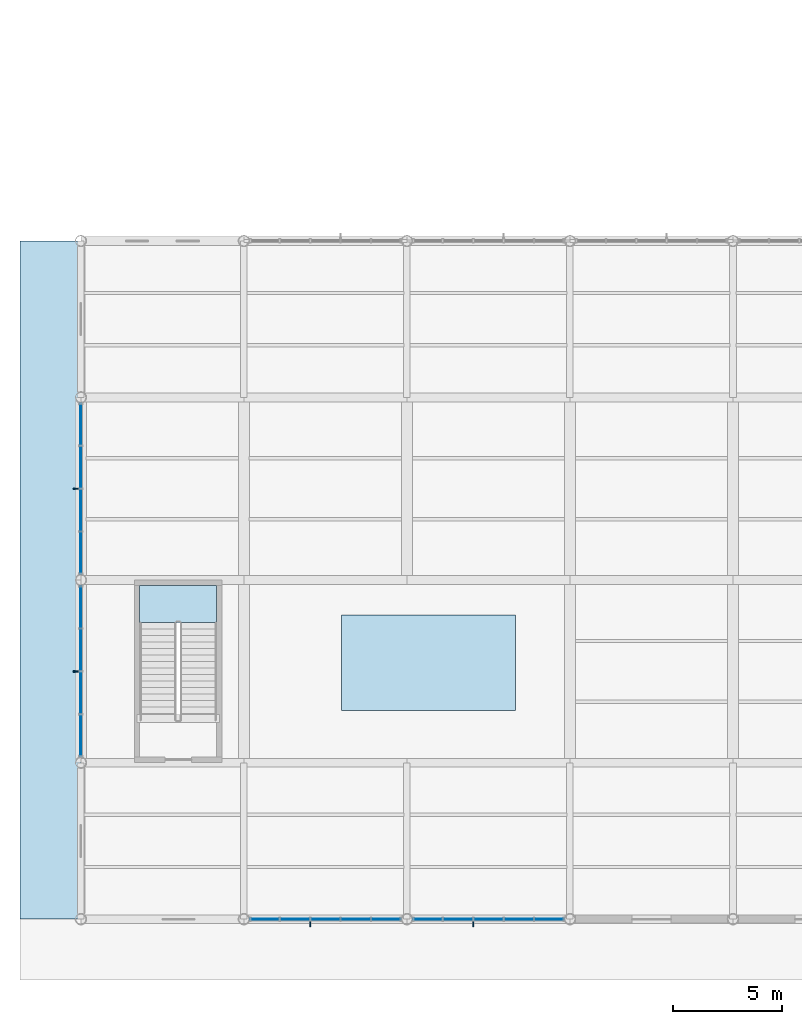
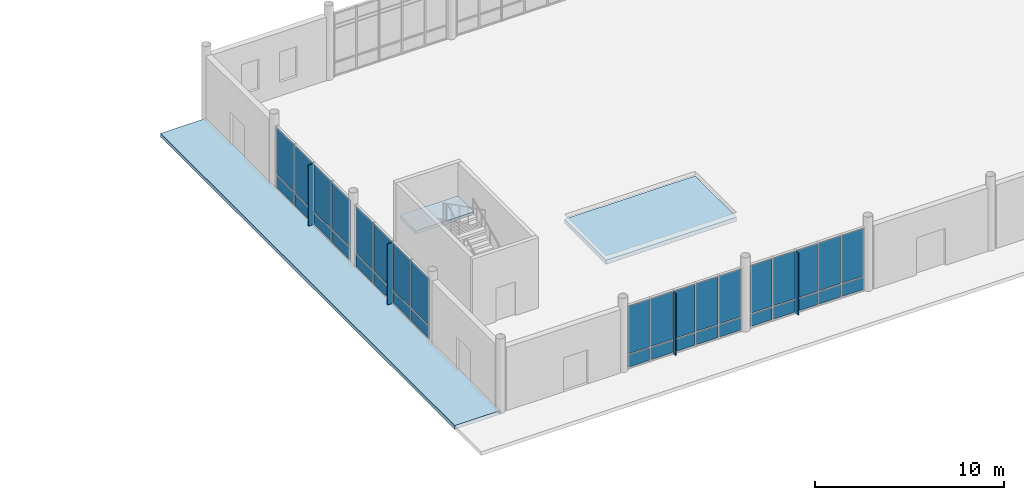
# One storey, part 35 of 82: 40 plates, 3 slabs, 5 elements without a shape of their own.
"""IFC4 building model written with IfcOpenShell, lengths in metres."""

from ifc_helpers import new_model, si_unit, direction, frame, origin, origin_2d, place, context, subcontext, project, spatial, polyline, rectangle, outline, extrude, material, layer, layer_set, type_object, element, aggregate, save


model = new_model("IFC4")

# Units and contexts
model_context = context("Model", 3, precision=1e-05, world=origin(), true_north=direction((0.0, 1.0)))
body_context = subcontext(model_context, "Body", "Model", "MODEL_VIEW")
ifc_project = project(units=[si_unit("LENGTHUNIT", "METRE"), si_unit("AREAUNIT", "SQUARE_METRE"), si_unit("VOLUMEUNIT", "CUBIC_METRE"), si_unit("PLANEANGLEUNIT", "RADIAN"), si_unit("MASSUNIT", "GRAM", prefix="KILO")], contexts=[model_context])

# Site, building, storey
site_placement = place(None, origin())
site = spatial("IfcSite", under=ifc_project, at=site_placement, CompositionType="ELEMENT")
building_placement = place(site_placement, origin())
building = spatial("IfcBuilding", under=site, at=building_placement, Name="Yukiwa Park Conservatory and Herbarium", CompositionType="ELEMENT")
storey_placement = place(building_placement, origin())
storey = spatial("IfcBuildingStorey", under=building, at=storey_placement, Name="L00", CompositionType="ELEMENT", Elevation=0.0)

# Curtain wall, plates
ifc_material_1 = material(Name="Triple Low-E Insulated Glass", Category="glass")
ifc_layer_1 = layer(ifc_material_1, 0.152099609375)
ifc_layer_set_1 = layer_set([ifc_layer_1], Name="Triple Low-E Insulated Glass")
curtain_wall_type_1 = type_object("IfcCurtainWallType", Name="CW-CONSERVATORY-1500", PredefinedType="NOTDEFINED", material=ifc_layer_set_1)
curtain_wall_1_placement = place(storey_placement, origin())
curtain_wall_1 = element("IfcCurtainWall", 1, at=curtain_wall_1_placement, inside=storey, type_object=curtain_wall_type_1, Name="L00 unitised curtain wall CW-L00-001", PredefinedType="NOTDEFINED")
ifc_material_2 = material(Name="Triple Low-E Insulated Glass", Category="glass")
ifc_layer_2 = layer(ifc_material_2, 0.035888671875)
ifc_layer_set_2 = layer_set([ifc_layer_2], Name="Triple Low-E Insulated Glass")
plate_type_1 = type_object("IfcPlateType", Name="PL-CW-GLZ-36", PredefinedType="CURTAIN_PANEL", material=ifc_layer_set_2)
plate_1_placement = place(storey_placement, frame((8.453125, 0.0, 0.93994140625), z_axis=(0.0, 0.0, 1.0), x_axis=(1.0, 0.0, 0.0)))
plate_1 = element("IfcPlate", 2, at=plate_1_placement, type_object=plate_type_1, Name="CW-L00-001 vision panel 1.2", PredefinedType="CURTAIN_PANEL", context=body_context, shape_type="SweptSolid", body=[
    extrude(rectangle(XDim=1.318359375, YDim=0.035888671875, at=origin_2d()), origin(), (0.0, 0.0, 1.0), 3.090087890625),
])
plate_2_placement = place(storey_placement, frame((9.8515625, 0.0, 0.93994140625), z_axis=(0.0, 0.0, 1.0), x_axis=(1.0, 0.0, 0.0)))
plate_2 = element("IfcPlate", 3, at=plate_2_placement, type_object=plate_type_1, Name="CW-L00-001 vision panel 2.2", PredefinedType="CURTAIN_PANEL", context=body_context, shape_type="SweptSolid", body=[
    extrude(rectangle(XDim=1.318359375, YDim=0.035888671875, at=origin_2d()), origin(), (0.0, 0.0, 1.0), 3.090087890625),
])
plate_3_placement = place(storey_placement, frame((11.25, 0.0, 0.93994140625), z_axis=(0.0, 0.0, 1.0), x_axis=(1.0, 0.0, 0.0)))
plate_3 = element("IfcPlate", 4, at=plate_3_placement, type_object=plate_type_1, Name="CW-L00-001 vision panel 3.2", PredefinedType="CURTAIN_PANEL", context=body_context, shape_type="SweptSolid", body=[
    extrude(rectangle(XDim=1.318359375, YDim=0.035888671875, at=origin_2d()), origin(), (0.0, 0.0, 1.0), 3.090087890625),
])
plate_4_placement = place(storey_placement, frame((12.6484375, 0.0, 0.93994140625), z_axis=(0.0, 0.0, 1.0), x_axis=(1.0, 0.0, 0.0)))
plate_4 = element("IfcPlate", 5, at=plate_4_placement, type_object=plate_type_1, Name="CW-L00-001 vision panel 4.2", PredefinedType="CURTAIN_PANEL", context=body_context, shape_type="SweptSolid", body=[
    extrude(rectangle(XDim=1.318359375, YDim=0.035888671875, at=origin_2d()), origin(), (0.0, 0.0, 1.0), 3.090087890625),
])
plate_5_placement = place(storey_placement, frame((14.046875, 0.0, 0.93994140625), z_axis=(0.0, 0.0, 1.0), x_axis=(1.0, 0.0, 0.0)))
plate_5 = element("IfcPlate", 6, at=plate_5_placement, type_object=plate_type_1, Name="CW-L00-001 vision panel 5.2", PredefinedType="CURTAIN_PANEL", context=body_context, shape_type="SweptSolid", body=[
    extrude(rectangle(XDim=1.318359375, YDim=0.035888671875, at=origin_2d()), origin(), (0.0, 0.0, 1.0), 3.090087890625),
])

curtain_wall_2_placement = place(storey_placement, origin())
curtain_wall_2 = element("IfcCurtainWall", 7, at=curtain_wall_2_placement, inside=storey, type_object=curtain_wall_type_1, Name="L00 unitised curtain wall CW-L00-002", PredefinedType="NOTDEFINED")
plate_6_placement = place(storey_placement, frame((15.953125, 0.0, 0.93994140625), z_axis=(0.0, 0.0, 1.0), x_axis=(1.0, 0.0, 0.0)))
plate_6 = element("IfcPlate", 8, at=plate_6_placement, type_object=plate_type_1, Name="CW-L00-002 vision panel 1.2", PredefinedType="CURTAIN_PANEL", context=body_context, shape_type="SweptSolid", body=[
    extrude(rectangle(XDim=1.318359375, YDim=0.035888671875, at=origin_2d()), origin(), (0.0, 0.0, 1.0), 3.090087890625),
])
plate_7_placement = place(storey_placement, frame((17.3515625, 0.0, 0.93994140625), z_axis=(0.0, 0.0, 1.0), x_axis=(1.0, 0.0, 0.0)))
plate_7 = element("IfcPlate", 9, at=plate_7_placement, type_object=plate_type_1, Name="CW-L00-002 vision panel 2.2", PredefinedType="CURTAIN_PANEL", context=body_context, shape_type="SweptSolid", body=[
    extrude(rectangle(XDim=1.318359375, YDim=0.035888671875, at=origin_2d()), origin(), (0.0, 0.0, 1.0), 3.090087890625),
])
plate_8_placement = place(storey_placement, frame((18.75, 0.0, 0.93994140625), z_axis=(0.0, 0.0, 1.0), x_axis=(1.0, 0.0, 0.0)))
plate_8 = element("IfcPlate", 10, at=plate_8_placement, type_object=plate_type_1, Name="CW-L00-002 vision panel 3.2", PredefinedType="CURTAIN_PANEL", context=body_context, shape_type="SweptSolid", body=[
    extrude(rectangle(XDim=1.318359375, YDim=0.035888671875, at=origin_2d()), origin(), (0.0, 0.0, 1.0), 3.090087890625),
])
plate_9_placement = place(storey_placement, frame((20.1484375, 0.0, 0.93994140625), z_axis=(0.0, 0.0, 1.0), x_axis=(1.0, 0.0, 0.0)))
plate_9 = element("IfcPlate", 11, at=plate_9_placement, type_object=plate_type_1, Name="CW-L00-002 vision panel 4.2", PredefinedType="CURTAIN_PANEL", context=body_context, shape_type="SweptSolid", body=[
    extrude(rectangle(XDim=1.318359375, YDim=0.035888671875, at=origin_2d()), origin(), (0.0, 0.0, 1.0), 3.090087890625),
])
plate_10_placement = place(storey_placement, frame((21.546875, 0.0, 0.93994140625), z_axis=(0.0, 0.0, 1.0), x_axis=(1.0, 0.0, 0.0)))
plate_10 = element("IfcPlate", 12, at=plate_10_placement, type_object=plate_type_1, Name="CW-L00-002 vision panel 5.2", PredefinedType="CURTAIN_PANEL", context=body_context, shape_type="SweptSolid", body=[
    extrude(rectangle(XDim=1.318359375, YDim=0.035888671875, at=origin_2d()), origin(), (0.0, 0.0, 1.0), 3.090087890625),
])

ifc_material_3 = material(Name="Triple Low-E Insulated Glass", Category="glass")
ifc_layer_3 = layer(ifc_material_3, 0.1640625)
ifc_layer_set_3 = layer_set([ifc_layer_3], Name="Triple Low-E Insulated Glass")
curtain_wall_type_2 = type_object("IfcCurtainWallType", Name="CW-CONSERVATORY-1875", PredefinedType="NOTDEFINED", material=ifc_layer_set_3)
curtain_wall_3_placement = place(storey_placement, origin())
curtain_wall_3 = element("IfcCurtainWall", 13, at=curtain_wall_3_placement, inside=storey, type_object=curtain_wall_type_2, Name="L00 unitised curtain wall CW-L00-024", PredefinedType="NOTDEFINED")
plate_11_placement = place(storey_placement, frame((0.0, 22.759521484375, 0.93994140625), z_axis=(0.0, 0.0, 1.0), x_axis=(0.0, -1.0, 0.0)))
plate_11 = element("IfcPlate", 14, at=plate_11_placement, type_object=plate_type_1, Name="CW-L00-024 vision panel 1.2", PredefinedType="CURTAIN_PANEL", context=body_context, shape_type="SweptSolid", body=[
    extrude(rectangle(XDim=1.89306640625, YDim=0.035888671875, at=origin_2d()), origin(), (0.0, 0.0, 1.0), 3.0400390625),
])
plate_12_placement = place(storey_placement, frame((0.0, 20.78662109375, 0.93994140625), z_axis=(0.0, 0.0, 1.0), x_axis=(0.0, -1.0, 0.0)))
plate_12 = element("IfcPlate", 15, at=plate_12_placement, type_object=plate_type_1, Name="CW-L00-024 vision panel 2.2", PredefinedType="CURTAIN_PANEL", context=body_context, shape_type="SweptSolid", body=[
    extrude(rectangle(XDim=1.89306640625, YDim=0.035888671875, at=origin_2d()), origin(), (0.0, 0.0, 1.0), 3.0400390625),
])
plate_13_placement = place(storey_placement, frame((0.0, 18.8134765625, 0.93994140625), z_axis=(0.0, 0.0, 1.0), x_axis=(0.0, -1.0, 0.0)))
plate_13 = element("IfcPlate", 16, at=plate_13_placement, type_object=plate_type_1, Name="CW-L00-024 vision panel 3.2", PredefinedType="CURTAIN_PANEL", context=body_context, shape_type="SweptSolid", body=[
    extrude(rectangle(XDim=1.89306640625, YDim=0.035888671875, at=origin_2d()), origin(), (0.0, 0.0, 1.0), 3.0400390625),
])
plate_14_placement = place(storey_placement, frame((0.0, 16.840576171875, 0.93994140625), z_axis=(0.0, 0.0, 1.0), x_axis=(0.0, -1.0, 0.0)))
plate_14 = element("IfcPlate", 17, at=plate_14_placement, type_object=plate_type_1, Name="CW-L00-024 vision panel 4.2", PredefinedType="CURTAIN_PANEL", context=body_context, shape_type="SweptSolid", body=[
    extrude(rectangle(XDim=1.89306640625, YDim=0.035888671875, at=origin_2d()), origin(), (0.0, 0.0, 1.0), 3.0400390625),
])

curtain_wall_4_placement = place(storey_placement, origin())
curtain_wall_4 = element("IfcCurtainWall", 18, at=curtain_wall_4_placement, inside=storey, type_object=curtain_wall_type_2, Name="L00 unitised curtain wall CW-L00-025", PredefinedType="NOTDEFINED")
plate_15_placement = place(storey_placement, frame((0.0, 14.359619140625, 0.93994140625), z_axis=(0.0, 0.0, 1.0), x_axis=(0.0, -1.0, 0.0)))
plate_15 = element("IfcPlate", 19, at=plate_15_placement, type_object=plate_type_1, Name="CW-L00-025 vision panel 1.2", PredefinedType="CURTAIN_PANEL", context=body_context, shape_type="SweptSolid", body=[
    extrude(rectangle(XDim=1.89306640625, YDim=0.035888671875, at=origin_2d()), origin(), (0.0, 0.0, 1.0), 3.0400390625),
])
plate_16_placement = place(storey_placement, frame((0.0, 12.386474609375, 0.93994140625), z_axis=(0.0, 0.0, 1.0), x_axis=(0.0, -1.0, 0.0)))
plate_16 = element("IfcPlate", 20, at=plate_16_placement, type_object=plate_type_1, Name="CW-L00-025 vision panel 2.2", PredefinedType="CURTAIN_PANEL", context=body_context, shape_type="SweptSolid", body=[
    extrude(rectangle(XDim=1.89306640625, YDim=0.035888671875, at=origin_2d()), origin(), (0.0, 0.0, 1.0), 3.0400390625),
])
plate_17_placement = place(storey_placement, frame((0.0, 10.41357421875, 0.93994140625), z_axis=(0.0, 0.0, 1.0), x_axis=(0.0, -1.0, 0.0)))
plate_17 = element("IfcPlate", 21, at=plate_17_placement, type_object=plate_type_1, Name="CW-L00-025 vision panel 3.2", PredefinedType="CURTAIN_PANEL", context=body_context, shape_type="SweptSolid", body=[
    extrude(rectangle(XDim=1.89306640625, YDim=0.035888671875, at=origin_2d()), origin(), (0.0, 0.0, 1.0), 3.0400390625),
])
plate_18_placement = place(storey_placement, frame((0.0, 8.4404296875, 0.93994140625), z_axis=(0.0, 0.0, 1.0), x_axis=(0.0, -1.0, 0.0)))
plate_18 = element("IfcPlate", 22, at=plate_18_placement, type_object=plate_type_1, Name="CW-L00-025 vision panel 4.2", PredefinedType="CURTAIN_PANEL", context=body_context, shape_type="SweptSolid", body=[
    extrude(rectangle(XDim=1.89306640625, YDim=0.035888671875, at=origin_2d()), origin(), (0.0, 0.0, 1.0), 3.0400390625),
])

# Plate
ifc_material_4 = material(Name="Anodised Aluminium", Category="aluminium")
ifc_layer_4 = layer(ifc_material_4, 0.044921875)
ifc_layer_set_4 = layer_set([ifc_layer_4], Name="Anodised Aluminium")
plate_type_2 = type_object("IfcPlateType", Name="PL-CW-SPN-45", PredefinedType="CURTAIN_PANEL", material=ifc_layer_set_4)
plate_19_placement = place(storey_placement, frame((8.453125, 0.0, 0.080078125), z_axis=(0.0, 0.0, 1.0), x_axis=(1.0, 0.0, 0.0)))
plate_19 = element("IfcPlate", 23, at=plate_19_placement, type_object=plate_type_2, Name="CW-L00-001 spandrel panel 1.1", PredefinedType="CURTAIN_PANEL", context=body_context, shape_type="SweptSolid", body=[
    extrude(rectangle(XDim=1.318359375, YDim=0.044921875, at=origin_2d()), origin(), (0.0, 0.0, 1.0), 0.780029296875),
])

plate_20_placement = place(storey_placement, frame((9.8515625, 0.0, 0.080078125), z_axis=(0.0, 0.0, 1.0), x_axis=(1.0, 0.0, 0.0)))
plate_20 = element("IfcPlate", 24, at=plate_20_placement, type_object=plate_type_2, Name="CW-L00-001 spandrel panel 2.1", PredefinedType="CURTAIN_PANEL", context=body_context, shape_type="SweptSolid", body=[
    extrude(rectangle(XDim=1.318359375, YDim=0.044921875, at=origin_2d()), origin(), (0.0, 0.0, 1.0), 0.780029296875),
])

plate_21_placement = place(storey_placement, frame((11.25, 0.0, 0.080078125), z_axis=(0.0, 0.0, 1.0), x_axis=(1.0, 0.0, 0.0)))
plate_21 = element("IfcPlate", 25, at=plate_21_placement, type_object=plate_type_2, Name="CW-L00-001 spandrel panel 3.1", PredefinedType="CURTAIN_PANEL", context=body_context, shape_type="SweptSolid", body=[
    extrude(rectangle(XDim=1.318359375, YDim=0.044921875, at=origin_2d()), origin(), (0.0, 0.0, 1.0), 0.780029296875),
])

plate_22_placement = place(storey_placement, frame((12.6484375, 0.0, 0.080078125), z_axis=(0.0, 0.0, 1.0), x_axis=(1.0, 0.0, 0.0)))
plate_22 = element("IfcPlate", 26, at=plate_22_placement, type_object=plate_type_2, Name="CW-L00-001 spandrel panel 4.1", PredefinedType="CURTAIN_PANEL", context=body_context, shape_type="SweptSolid", body=[
    extrude(rectangle(XDim=1.318359375, YDim=0.044921875, at=origin_2d()), origin(), (0.0, 0.0, 1.0), 0.780029296875),
])

plate_23_placement = place(storey_placement, frame((14.046875, 0.0, 0.080078125), z_axis=(0.0, 0.0, 1.0), x_axis=(1.0, 0.0, 0.0)))
plate_23 = element("IfcPlate", 27, at=plate_23_placement, type_object=plate_type_2, Name="CW-L00-001 spandrel panel 5.1", PredefinedType="CURTAIN_PANEL", context=body_context, shape_type="SweptSolid", body=[
    extrude(rectangle(XDim=1.318359375, YDim=0.044921875, at=origin_2d()), origin(), (0.0, 0.0, 1.0), 0.780029296875),
])

aggregate(curtain_wall_1, [plate_19, plate_1, plate_20, plate_2, plate_21, plate_3, plate_22, plate_4, plate_23, plate_5])

plate_24_placement = place(storey_placement, frame((15.953125, 0.0, 0.080078125), z_axis=(0.0, 0.0, 1.0), x_axis=(1.0, 0.0, 0.0)))
plate_24 = element("IfcPlate", 28, at=plate_24_placement, type_object=plate_type_2, Name="CW-L00-002 spandrel panel 1.1", PredefinedType="CURTAIN_PANEL", context=body_context, shape_type="SweptSolid", body=[
    extrude(rectangle(XDim=1.318359375, YDim=0.044921875, at=origin_2d()), origin(), (0.0, 0.0, 1.0), 0.780029296875),
])

plate_25_placement = place(storey_placement, frame((17.3515625, 0.0, 0.080078125), z_axis=(0.0, 0.0, 1.0), x_axis=(1.0, 0.0, 0.0)))
plate_25 = element("IfcPlate", 29, at=plate_25_placement, type_object=plate_type_2, Name="CW-L00-002 spandrel panel 2.1", PredefinedType="CURTAIN_PANEL", context=body_context, shape_type="SweptSolid", body=[
    extrude(rectangle(XDim=1.318359375, YDim=0.044921875, at=origin_2d()), origin(), (0.0, 0.0, 1.0), 0.780029296875),
])

plate_26_placement = place(storey_placement, frame((18.75, 0.0, 0.080078125), z_axis=(0.0, 0.0, 1.0), x_axis=(1.0, 0.0, 0.0)))
plate_26 = element("IfcPlate", 30, at=plate_26_placement, type_object=plate_type_2, Name="CW-L00-002 spandrel panel 3.1", PredefinedType="CURTAIN_PANEL", context=body_context, shape_type="SweptSolid", body=[
    extrude(rectangle(XDim=1.318359375, YDim=0.044921875, at=origin_2d()), origin(), (0.0, 0.0, 1.0), 0.780029296875),
])

plate_27_placement = place(storey_placement, frame((20.1484375, 0.0, 0.080078125), z_axis=(0.0, 0.0, 1.0), x_axis=(1.0, 0.0, 0.0)))
plate_27 = element("IfcPlate", 31, at=plate_27_placement, type_object=plate_type_2, Name="CW-L00-002 spandrel panel 4.1", PredefinedType="CURTAIN_PANEL", context=body_context, shape_type="SweptSolid", body=[
    extrude(rectangle(XDim=1.318359375, YDim=0.044921875, at=origin_2d()), origin(), (0.0, 0.0, 1.0), 0.780029296875),
])

plate_28_placement = place(storey_placement, frame((21.546875, 0.0, 0.080078125), z_axis=(0.0, 0.0, 1.0), x_axis=(1.0, 0.0, 0.0)))
plate_28 = element("IfcPlate", 32, at=plate_28_placement, type_object=plate_type_2, Name="CW-L00-002 spandrel panel 5.1", PredefinedType="CURTAIN_PANEL", context=body_context, shape_type="SweptSolid", body=[
    extrude(rectangle(XDim=1.318359375, YDim=0.044921875, at=origin_2d()), origin(), (0.0, 0.0, 1.0), 0.780029296875),
])

aggregate(curtain_wall_2, [plate_24, plate_6, plate_25, plate_7, plate_26, plate_8, plate_27, plate_9, plate_28, plate_10])

plate_29_placement = place(storey_placement, frame((0.0, 22.759521484375, 0.080078125), z_axis=(0.0, 0.0, 1.0), x_axis=(0.0, -1.0, 0.0)))
plate_29 = element("IfcPlate", 33, at=plate_29_placement, type_object=plate_type_2, Name="CW-L00-024 spandrel panel 1.1", PredefinedType="CURTAIN_PANEL", context=body_context, shape_type="SweptSolid", body=[
    extrude(rectangle(XDim=1.89306640625, YDim=0.044921875, at=origin_2d()), origin(), (0.0, 0.0, 1.0), 0.780029296875),
])

plate_30_placement = place(storey_placement, frame((0.0, 20.78662109375, 0.080078125), z_axis=(0.0, 0.0, 1.0), x_axis=(0.0, -1.0, 0.0)))
plate_30 = element("IfcPlate", 34, at=plate_30_placement, type_object=plate_type_2, Name="CW-L00-024 spandrel panel 2.1", PredefinedType="CURTAIN_PANEL", context=body_context, shape_type="SweptSolid", body=[
    extrude(rectangle(XDim=1.89306640625, YDim=0.044921875, at=origin_2d()), origin(), (0.0, 0.0, 1.0), 0.780029296875),
])

plate_31_placement = place(storey_placement, frame((0.0, 18.8134765625, 0.080078125), z_axis=(0.0, 0.0, 1.0), x_axis=(0.0, -1.0, 0.0)))
plate_31 = element("IfcPlate", 35, at=plate_31_placement, type_object=plate_type_2, Name="CW-L00-024 spandrel panel 3.1", PredefinedType="CURTAIN_PANEL", context=body_context, shape_type="SweptSolid", body=[
    extrude(rectangle(XDim=1.89306640625, YDim=0.044921875, at=origin_2d()), origin(), (0.0, 0.0, 1.0), 0.780029296875),
])

plate_32_placement = place(storey_placement, frame((0.0, 16.840576171875, 0.080078125), z_axis=(0.0, 0.0, 1.0), x_axis=(0.0, -1.0, 0.0)))
plate_32 = element("IfcPlate", 36, at=plate_32_placement, type_object=plate_type_2, Name="CW-L00-024 spandrel panel 4.1", PredefinedType="CURTAIN_PANEL", context=body_context, shape_type="SweptSolid", body=[
    extrude(rectangle(XDim=1.89306640625, YDim=0.044921875, at=origin_2d()), origin(), (0.0, 0.0, 1.0), 0.780029296875),
])

aggregate(curtain_wall_3, [plate_29, plate_11, plate_30, plate_12, plate_31, plate_13, plate_32, plate_14])

plate_33_placement = place(storey_placement, frame((0.0, 14.359619140625, 0.080078125), z_axis=(0.0, 0.0, 1.0), x_axis=(0.0, -1.0, 0.0)))
plate_33 = element("IfcPlate", 37, at=plate_33_placement, type_object=plate_type_2, Name="CW-L00-025 spandrel panel 1.1", PredefinedType="CURTAIN_PANEL", context=body_context, shape_type="SweptSolid", body=[
    extrude(rectangle(XDim=1.89306640625, YDim=0.044921875, at=origin_2d()), origin(), (0.0, 0.0, 1.0), 0.780029296875),
])

plate_34_placement = place(storey_placement, frame((0.0, 12.386474609375, 0.080078125), z_axis=(0.0, 0.0, 1.0), x_axis=(0.0, -1.0, 0.0)))
plate_34 = element("IfcPlate", 38, at=plate_34_placement, type_object=plate_type_2, Name="CW-L00-025 spandrel panel 2.1", PredefinedType="CURTAIN_PANEL", context=body_context, shape_type="SweptSolid", body=[
    extrude(rectangle(XDim=1.89306640625, YDim=0.044921875, at=origin_2d()), origin(), (0.0, 0.0, 1.0), 0.780029296875),
])

plate_35_placement = place(storey_placement, frame((0.0, 10.41357421875, 0.080078125), z_axis=(0.0, 0.0, 1.0), x_axis=(0.0, -1.0, 0.0)))
plate_35 = element("IfcPlate", 39, at=plate_35_placement, type_object=plate_type_2, Name="CW-L00-025 spandrel panel 3.1", PredefinedType="CURTAIN_PANEL", context=body_context, shape_type="SweptSolid", body=[
    extrude(rectangle(XDim=1.89306640625, YDim=0.044921875, at=origin_2d()), origin(), (0.0, 0.0, 1.0), 0.780029296875),
])

plate_36_placement = place(storey_placement, frame((0.0, 8.4404296875, 0.080078125), z_axis=(0.0, 0.0, 1.0), x_axis=(0.0, -1.0, 0.0)))
plate_36 = element("IfcPlate", 40, at=plate_36_placement, type_object=plate_type_2, Name="CW-L00-025 spandrel panel 4.1", PredefinedType="CURTAIN_PANEL", context=body_context, shape_type="SweptSolid", body=[
    extrude(rectangle(XDim=1.89306640625, YDim=0.044921875, at=origin_2d()), origin(), (0.0, 0.0, 1.0), 0.780029296875),
])

aggregate(curtain_wall_4, [plate_33, plate_15, plate_34, plate_16, plate_35, plate_17, plate_36, plate_18])

# Plates
ifc_material_5 = material(Name="Charred Larch Cladding", Category="wood")
ifc_layer_5 = layer(ifc_material_5, 0.06494140625)
ifc_layer_set_5 = layer_set([ifc_layer_5], Name="Charred Larch Cladding")
plate_type_3 = type_object("IfcPlateType", Name="PL-FIN-LARCH-65", PredefinedType="USERDEFINED", material=ifc_layer_set_5)
for number, where, z_axis, x_axis, name in (
    (41, (10.55078125, -0.205078125, 0.06005859375), (0.0, 0.0, 1.0), (1.0, 0.0, 0.0), "CW-L00-001 exterior vertical shading fin"),
    (42, (18.05078125, -0.205078125, 0.06005859375), (0.0, 0.0, 1.0), (1.0, 0.0, 0.0), "CW-L00-002 exterior vertical shading fin"),
):
    element("IfcPlate", number, at=place(storey_placement, frame(where, z_axis=z_axis, x_axis=x_axis)), inside=storey, type_object=plate_type_3, Name=name, ObjectType="SHADING FIN", PredefinedType="USERDEFINED", context=body_context, shape_type="SweptSolid", body=[
        extrude(rectangle(XDim=0.06494140625, YDim=0.280029296875, at=origin_2d()), origin(), (0.0, 0.0, 1.0), 3.989990234375),
    ])
for number, where, z_axis, x_axis, name in (
    (43, (-0.205078125, 19.800048828125, 0.06005859375), (0.0, 0.0, 1.0), (0.0, -1.0, 0.0), "CW-L00-024 exterior vertical shading fin"),
    (44, (-0.205078125, 11.39990234375, 0.06005859375), (0.0, 0.0, 1.0), (0.0, -1.0, 0.0), "CW-L00-025 exterior vertical shading fin"),
):
    element("IfcPlate", number, at=place(storey_placement, frame(where, z_axis=z_axis, x_axis=x_axis)), inside=storey, type_object=plate_type_3, Name=name, ObjectType="SHADING FIN", PredefinedType="USERDEFINED", context=body_context, shape_type="SweptSolid", body=[
        extrude(rectangle(XDim=0.06494140625, YDim=0.280029296875, at=origin_2d()), origin(), (0.0, 0.0, 1.0), 3.93994140625),
    ])

# Slab
ifc_material_6 = material(Name="Concrete C35", Category="concrete")
ifc_layer_6 = layer(ifc_material_6, 0.239990234375)
ifc_layer_set_6 = layer_set([ifc_layer_6], Name="Concrete C35")
slab_type_1 = type_object("IfcSlabType", Name="SL-APRON-240", PredefinedType="FLOOR", material=ifc_layer_set_6)
slab_1_placement = place(storey_placement, frame((0.0, 0.0, -0.239990234375)))
element("IfcSlab", 45, at=slab_1_placement, inside=storey, type_object=slab_type_1, Name="West park walk apron", PredefinedType="FLOOR", context=body_context, shape_type="SweptSolid", body=[
    extrude(outline(polyline([(-2.800048828125, 0.0), (0.0, 0.0), (0.0, 31.199951171875), (-2.800048828125, 31.199951171875), (-2.800048828125, 0.0)])), origin(), (0.0, 0.0, 1.0), 0.239990234375),
])

# Stair, slab
ifc_material_7 = material(Name="Concrete C40", Category="concrete")
stair_type = type_object("IfcStairType", Name="ST-DOGLEG-ST-C1", PredefinedType="HALF_TURN_STAIR", material=ifc_material_7)
stair_placement = place(storey_placement, origin())
stair = element("IfcStair", 46, at=stair_placement, inside=storey, type_object=stair_type, Name="L00 Conservatory West Exit Stair ST-C1", PredefinedType="HALF_TURN_STAIR")
ifc_material_8 = material(Name="Concrete C40", Category="concrete")
ifc_layer_7 = layer(ifc_material_8, 0.199951171875)
ifc_layer_set_7 = layer_set([ifc_layer_7], Name="Concrete C40")
slab_type_2 = type_object("IfcSlabType", Name="SL-LANDING-220", PredefinedType="LANDING", material=ifc_layer_set_7)
slab_2_placement = place(storey_placement, frame((0.0, 0.0, 2.199951171875)))
slab_2 = element("IfcSlab", 47, at=slab_2_placement, type_object=slab_type_2, Name="ST-C1 landing 1", PredefinedType="LANDING", context=body_context, shape_type="SweptSolid", body=[
    extrude(outline(polyline([(6.25, 13.64990234375), (6.25, 15.35009765625), (2.699951171875, 15.35009765625), (2.699951171875, 13.64990234375), (6.25, 13.64990234375)])), origin(), (0.0, 0.0, 1.0), 0.199951171875),
])
aggregate(stair, [slab_2])

# Slab
ifc_material_9 = material(Name="Concrete C40", Category="concrete")
ifc_layer_8 = layer(ifc_material_9, 0.27490234375)
ifc_layer_set_8 = layer_set([ifc_layer_8], Name="Concrete C40")
slab_type_3 = type_object("IfcSlabType", Name="SL-STEP-275", PredefinedType="FLOOR", material=ifc_layer_set_8)
slab_3_placement = place(storey_placement, frame((0.0, 0.0, -0.574951171875)))
element("IfcSlab", 48, at=slab_3_placement, inside=storey, type_object=slab_type_3, Name="Conservatory sunken planting bed slab", PredefinedType="FLOOR", context=body_context, shape_type="SweptSolid", body=[
    extrude(outline(polyline([(12.0, 9.60009765625), (20.0, 9.60009765625), (20.0, 14.0), (12.0, 14.0), (12.0, 9.60009765625)])), origin(), (0.0, 0.0, 1.0), 0.27490234375),
])

save(model, "model.ifc")
